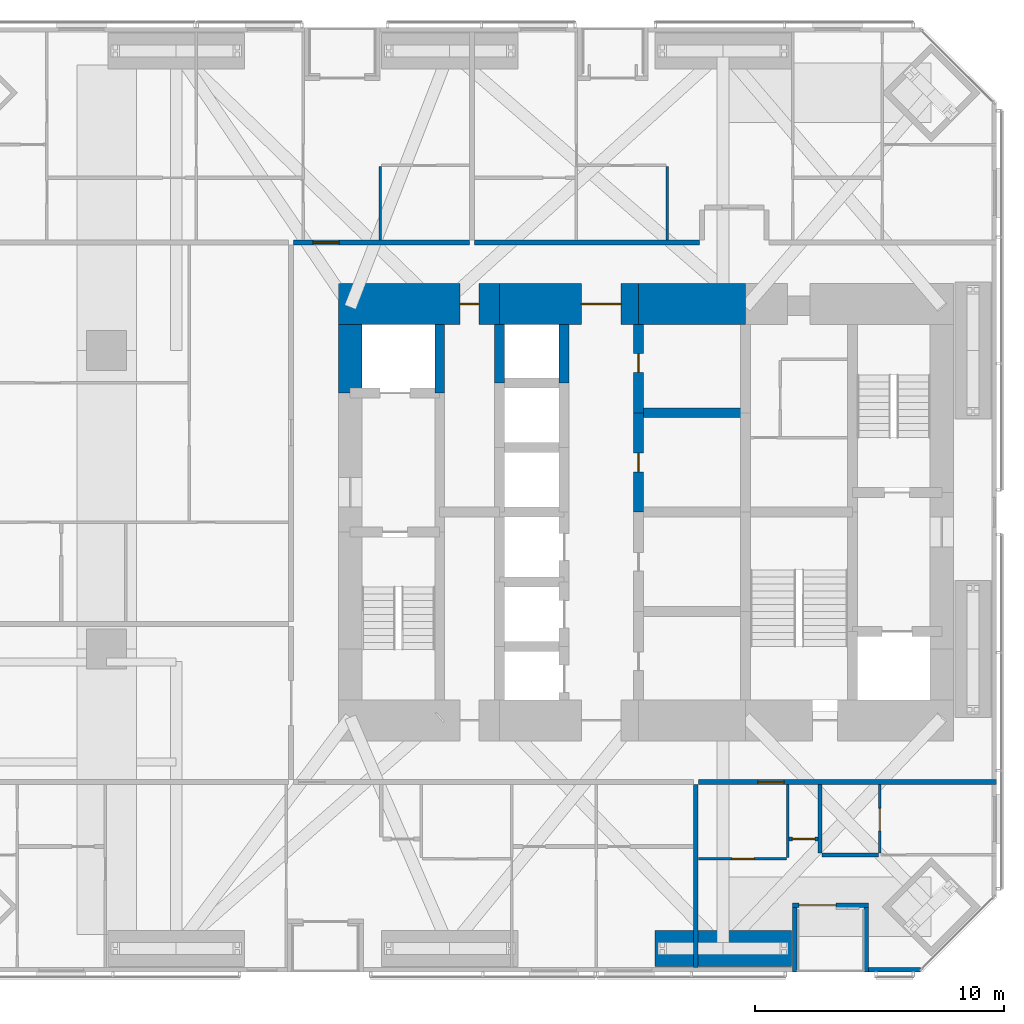
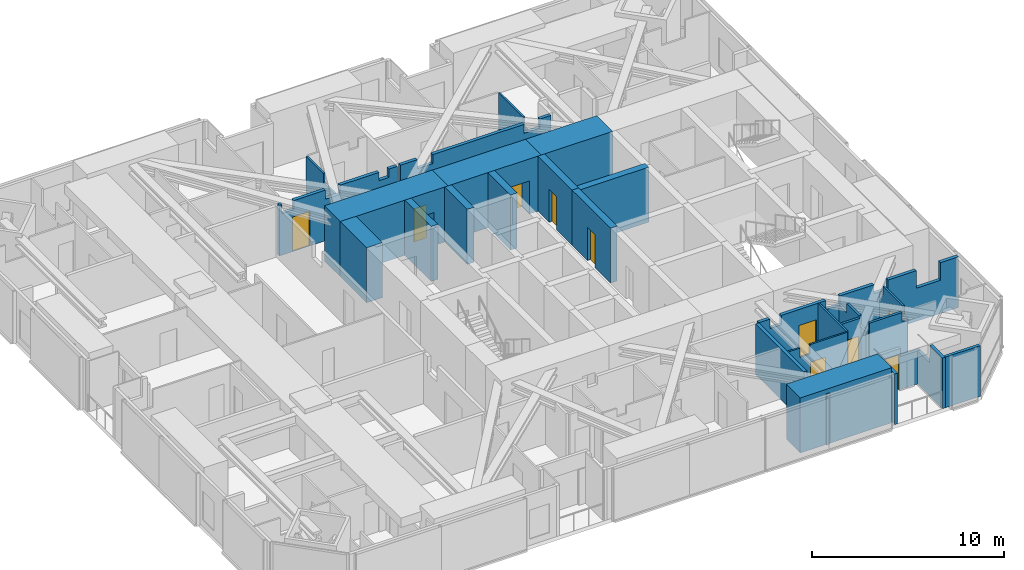
# One storey, part 18 of 22: 27 walls, 10 doors, 10 openings.
"""IFC4 building model written with IfcOpenShell, lengths in metres."""

from ifc_helpers import new_model, si_unit, direction, frame, frame_2d, origin, place, context, subcontext, project, spatial, polyline, rectangle, outline, extrude, material, layer, layer_set, constituent, constituent_set, type_object, element, fill, save


model = new_model("IFC4")

# Units and contexts
model_context = context("Model", 3, precision=1e-05, world=origin(), true_north=direction((0.0, 1.0)))
body_context = subcontext(model_context, "Body", "Model", "MODEL_VIEW")
ifc_project = project(units=[si_unit("LENGTHUNIT", "METRE"), si_unit("AREAUNIT", "SQUARE_METRE"), si_unit("VOLUMEUNIT", "CUBIC_METRE"), si_unit("PLANEANGLEUNIT", "RADIAN"), si_unit("MASSUNIT", "GRAM", prefix="KILO")], contexts=[model_context])

# Site, building, storey
site_placement = place(None, origin())
site = spatial("IfcSite", under=ifc_project, at=site_placement, CompositionType="ELEMENT")
building_placement = place(site_placement, origin())
building = spatial("IfcBuilding", under=site, at=building_placement, Name="Jalousie Tower", CompositionType="ELEMENT")
storey_placement = place(building_placement, frame((0.0, 0.0, 71.25)))
storey = spatial("IfcBuildingStorey", under=building, at=storey_placement, Name="L19", CompositionType="ELEMENT", Elevation=71.25)

# Walls
ifc_material_1 = material(Name="Concrete block ASTM C90", Category="concrete")
ifc_constituent_1 = constituent(ifc_material_1, Name="Body")
ifc_material_2 = material(Name="Render")
ifc_constituent_2 = constituent(ifc_material_2, Name="Finish")
ifc_constituent_set_1 = constituent_set(constituents=[ifc_constituent_1, ifc_constituent_2])
wall_type_1 = type_object("IfcWallType", Name="BATHROOM WALL 150", PredefinedType="PLUMBINGWALL", material=ifc_constituent_set_1)
wall_1_placement = place(storey_placement, frame((38.97509765625, 4.711181640625, 0.0), z_axis=(0.0, 0.0, 1.0), x_axis=(1.0, 0.0, 0.0)))
element("IfcWall", 1, at=wall_1_placement, inside=storey, type_object=wall_type_1, Name="Bathroom Wall 150 L19", PredefinedType="PLUMBINGWALL", context=body_context, shape_type="SweptSolid", body=[
    extrude(outline(polyline([(0.0, 0.0), (2.27490234375, 0.0), (2.27490234375, 2.640869140625), (1.950439453125, 2.640869140625), (1.950439453125, 3.219970703125), (0.0, 3.219970703125), (0.0, 0.0)])), frame((0.0, 0.074951171875, 0.0), z_axis=(0.0, -1.0, 0.0), x_axis=(1.0, 0.0, 0.0)), (0.0, 0.0, 1.0), 0.14990234375),
])
wall_2_placement = place(storey_placement, frame((38.89990234375, 4.786376953125, 0.0), z_axis=(0.0, 0.0, 1.0), x_axis=(0.0, 1.0, 0.0)))
element("IfcWall", 2, at=wall_2_placement, inside=storey, type_object=wall_type_1, Name="Bathroom Wall 150 L19", PredefinedType="PLUMBINGWALL", context=body_context, shape_type="SweptSolid", body=[
    extrude(outline(polyline([(0.0, 0.0), (2.763671875, 0.0), (2.763671875, 2.640869140625), (1.989501953125, 2.640869140625), (1.989501953125, 3.219970703125), (0.708251953125, 3.219970703125), (0.708251953125, 2.640869140625), (0.0, 2.640869140625), (0.0, 0.0)])), frame((0.0, 0.074951171875, 0.0), z_axis=(0.0, -1.0, 0.0), x_axis=(1.0, 0.0, 0.0)), (0.0, 0.0, 1.0), 0.14990234375),
])

# Wall, opening, door
wall_3_placement = place(storey_placement, frame((37.64990234375, 5.35009765625, 0.0), z_axis=(0.0, 0.0, 1.0), x_axis=(1.0, 0.0, 0.0)))
wall_3 = element("IfcWall", 3, at=wall_3_placement, inside=storey, type_object=wall_type_1, Name="Bathroom Wall 150 L19", PredefinedType="PLUMBINGWALL", context=body_context, shape_type="SweptSolid", body=[
    extrude(outline(polyline([(0.0, 0.0), (1.175048828125, 0.0), (1.175048828125, 2.640869140625), (1.1171875, 2.640869140625), (1.1171875, 3.219970703125), (0.0, 3.219970703125), (0.0, 0.0)])), frame((0.0, 0.074951171875, 0.0), z_axis=(0.0, -1.0, 0.0), x_axis=(1.0, 0.0, 0.0)), (0.0, 0.0, 1.0), 0.14990234375),
])
opening_1_placement = place(wall_3_placement, frame((0.137451171875, 0.0, 0.0)))
opening_1 = element("IfcOpeningElement", 4, at=opening_1_placement, cuts=wall_3, Name="Opening D7", PredefinedType="OPENING", context=body_context, shape_type="SweptSolid", body=[
    extrude(rectangle(XDim=0.89990234375, YDim=2.10009765625, at=frame_2d((0.449951171875, 1.050048828125))), frame((0.0, 0.0849609375, 0.0), z_axis=(0.0, -1.0, 0.0), x_axis=(1.0, 0.0, 0.0)), (0.0, 0.0, 1.0), 0.169921875),
])
ifc_material_3 = material(Name="Timber door", Category="wood")
door_type_1 = type_object("IfcDoorType", Name="INTERNAL DOOR 900", OperationType="SINGLE_SWING_LEFT", PredefinedType="DOOR", material=ifc_material_3)
door_1_placement = place(opening_1_placement, origin())
door_1 = element("IfcDoor", 5, at=door_1_placement, inside=storey, type_object=door_type_1, Name="Apartment 1902 guest WC door", OperationType="SINGLE_SWING_LEFT", OverallHeight=2.10009765625, OverallWidth=0.89990234375, PredefinedType="DOOR", context=body_context, shape_type="SweptSolid", body=[
    extrude(rectangle(XDim=0.89990234375, YDim=2.10009765625, at=frame_2d((0.449951171875, 1.050048828125))), frame((0.0, 0.02490234375, 0.0), z_axis=(0.0, -1.0, 0.0), x_axis=(1.0, 0.0, 0.0)), (0.0, 0.0, 1.0), 0.050048828125),
])
fill(opening_1, door_1)

# Wall
ifc_material_4 = material(Name="Concrete f'c 120 MPa", Category="concrete")
ifc_layer_1 = layer(ifc_material_4, 1.64990234375)
ifc_layer_set_1 = layer_set([ifc_layer_1], Name="Concrete f'c 120 MPa")
wall_type_2 = type_object("IfcWallType", Name="CORE WALL 1650", PredefinedType="SHEAR", material=ifc_layer_set_1)
wall_4_placement = place(storey_placement, frame((35.89990234375, 26.875, 0.0), z_axis=(0.0, 0.0, 1.0), x_axis=(-1.0, 0.0, 0.0)))
element("IfcWall", 6, at=wall_4_placement, inside=storey, type_object=wall_type_2, Name="Core wall NB L19", PredefinedType="SHEAR", context=body_context, shape_type="SweptSolid", body=[
    extrude(rectangle(XDim=4.2998046875, YDim=1.64990234375, at=frame_2d((2.14990234375, 0.0))), origin(), (0.0, 0.0, 1.0), 3.5),
])

# Wall, opening, door
wall_5_placement = place(storey_placement, frame((31.60009765625, 26.875, 0.0), z_axis=(0.0, 0.0, 1.0), x_axis=(-1.0, 0.0, 0.0)))
wall_5 = element("IfcWall", 7, at=wall_5_placement, inside=storey, type_object=wall_type_2, Name="Core wall NC L19", PredefinedType="SHEAR", context=body_context, shape_type="SweptSolid", body=[
    extrude(rectangle(XDim=5.60009765625, YDim=1.64990234375, at=frame_2d((2.800048828125, 0.0))), origin(), (0.0, 0.0, 1.0), 3.5),
])
opening_2_placement = place(wall_5_placement, frame((0.699951171875, 0.0, 0.0)))
opening_2 = element("IfcOpeningElement", 8, at=opening_2_placement, cuts=wall_5, Name="Opening D15", PredefinedType="OPENING", context=body_context, shape_type="SweptSolid", body=[
    extrude(rectangle(XDim=1.60009765625, YDim=2.10009765625, at=frame_2d((0.800048828125, 1.050048828125))), frame((0.0, 0.8349609375, 0.0), z_axis=(0.0, -1.0, 0.0), x_axis=(1.0, 0.0, 0.0)), (0.0, 0.0, 1.0), 1.669921875),
])
ifc_material_5 = material(Name="Steel fire door", Category="steel")
door_type_2 = type_object("IfcDoorType", Name="LIFT LOBBY DOOR 1600", OperationType="DOUBLE_DOOR_SINGLE_SWING", PredefinedType="DOOR", material=ifc_material_5)
door_2_placement = place(opening_2_placement, origin())
door_2 = element("IfcDoor", 9, at=door_2_placement, inside=storey, type_object=door_type_2, Name="Lift lobby north door", OperationType="DOUBLE_DOOR_SINGLE_SWING", OverallHeight=2.10009765625, OverallWidth=1.60009765625, PredefinedType="DOOR", context=body_context, shape_type="SweptSolid", body=[
    extrude(rectangle(XDim=1.60009765625, YDim=2.10009765625, at=frame_2d((0.800048828125, 1.050048828125))), frame((0.0, 0.02490234375, 0.0), z_axis=(0.0, -1.0, 0.0), x_axis=(1.0, 0.0, 0.0)), (0.0, 0.0, 1.0), 0.050048828125),
])
fill(opening_2, door_2)

wall_6_placement = place(storey_placement, frame((26.0, 26.875, 0.0), z_axis=(0.0, 0.0, 1.0), x_axis=(-1.0, 0.0, 0.0)))
wall_6 = element("IfcWall", 10, at=wall_6_placement, inside=storey, type_object=wall_type_2, Name="Core wall ND L19", PredefinedType="SHEAR", context=body_context, shape_type="SweptSolid", body=[
    extrude(rectangle(XDim=6.47509765625, YDim=1.64990234375, at=frame_2d((3.237548828125, 0.0))), origin(), (0.0, 0.0, 1.0), 3.5),
])
opening_3_placement = place(wall_6_placement, frame((0.824951171875, 0.0, 0.0)))
opening_3 = element("IfcOpeningElement", 11, at=opening_3_placement, cuts=wall_6, Name="Opening D16", PredefinedType="OPENING", context=body_context, shape_type="SweptSolid", body=[
    extrude(rectangle(XDim=0.75, YDim=2.10009765625, at=frame_2d((0.375, 1.050048828125))), frame((0.0, 0.8349609375, 0.0), z_axis=(0.0, -1.0, 0.0), x_axis=(1.0, 0.0, 0.0)), (0.0, 0.0, 1.0), 1.669921875),
])
ifc_material_6 = material(Name="Steel fire door", Category="steel")
door_type_3 = type_object("IfcDoorType", Name="RISER DOOR 750", OperationType="SINGLE_SWING_LEFT", PredefinedType="DOOR", material=ifc_material_6)
door_3_placement = place(opening_3_placement, origin())
door_3 = element("IfcDoor", 12, at=door_3_placement, inside=storey, type_object=door_type_3, Name="North riser door", OperationType="SINGLE_SWING_RIGHT", OverallHeight=2.10009765625, OverallWidth=0.75, PredefinedType="DOOR", context=body_context, shape_type="SweptSolid", body=[
    extrude(rectangle(XDim=0.75, YDim=2.10009765625, at=frame_2d((0.375, 1.050048828125))), frame((0.0, 0.02490234375, 0.0), z_axis=(0.0, -1.0, 0.0), x_axis=(1.0, 0.0, 0.0)), (0.0, 0.0, 1.0), 0.050048828125),
])
fill(opening_3, door_3)

# Walls
ifc_material_7 = material(Name="Concrete f'c 120 MPa", Category="concrete")
ifc_layer_2 = layer(ifc_material_7, 0.39990234375)
ifc_layer_set_2 = layer_set([ifc_layer_2], Name="Concrete f'c 120 MPa")
wall_type_3 = type_object("IfcWallType", Name="CORE WALL 400", PredefinedType="SHEAR", material=ifc_layer_set_2)
wall_7_placement = place(storey_placement, frame((23.60009765625, 23.300048828125, 0.0), z_axis=(0.0, 0.0, 1.0), x_axis=(0.0, 1.0, 0.0)))
element("IfcWall", 13, at=wall_7_placement, inside=storey, type_object=wall_type_3, Name="Core wall X23.6C L19", PredefinedType="SHEAR", context=body_context, shape_type="SweptSolid", body=[
    extrude(rectangle(XDim=2.75, YDim=0.39990234375, at=frame_2d((1.375, 0.0))), origin(), (0.0, 0.0, 1.0), 3.5),
])
for number, where, z_axis, x_axis, name in (
    (14, (26.0, 23.699951171875, 0.0), (0.0, 0.0, 1.0), (0.0, 1.0, 0.0), "Core wall X26F L19"),
    (15, (28.60009765625, 23.699951171875, 0.0), (0.0, 0.0, 1.0), (0.0, 1.0, 0.0), "Core wall X28.6F L19"),
):
    element("IfcWall", number, at=place(storey_placement, frame(where, z_axis=z_axis, x_axis=x_axis)), inside=storey, type_object=wall_type_3, Name=name, PredefinedType="SHEAR", context=body_context, shape_type="SweptSolid", body=[
        extrude(rectangle(XDim=2.35009765625, YDim=0.39990234375, at=frame_2d((1.175048828125, 0.0))), origin(), (0.0, 0.0, 1.0), 3.5),
    ])

# Wall, opening, door
wall_8_placement = place(storey_placement, frame((31.60009765625, 18.5, 0.0), z_axis=(0.0, 0.0, 1.0), x_axis=(0.0, 1.0, 0.0)))
wall_8 = element("IfcWall", 16, at=wall_8_placement, inside=storey, type_object=wall_type_3, Name="Core wall X31.6C L19", PredefinedType="SHEAR", context=body_context, shape_type="SweptSolid", body=[
    extrude(rectangle(XDim=4.0, YDim=0.39990234375, at=frame_2d((2.0, 0.0))), origin(), (0.0, 0.0, 1.0), 3.5),
])
opening_4_placement = place(wall_8_placement, frame((1.625, 0.0, 0.0)))
opening_4 = element("IfcOpeningElement", 17, at=opening_4_placement, cuts=wall_8, Name="Opening D16", PredefinedType="OPENING", context=body_context, shape_type="SweptSolid", body=[
    extrude(rectangle(XDim=0.75, YDim=2.10009765625, at=frame_2d((0.375, 1.050048828125))), frame((0.0, 0.2099609375, 0.0), z_axis=(0.0, -1.0, 0.0), x_axis=(1.0, 0.0, 0.0)), (0.0, 0.0, 1.0), 0.419921875),
])
door_4_placement = place(opening_4_placement, frame((0.75, 0.0, 0.0), z_axis=(0.0, 0.0, 1.0), x_axis=(-1.0, 0.0, 0.0)))
door_4 = element("IfcDoor", 18, at=door_4_placement, inside=storey, type_object=door_type_3, Name="Telecom Room door", OperationType="SINGLE_SWING_LEFT", OverallHeight=2.10009765625, OverallWidth=0.75, PredefinedType="DOOR", context=body_context, shape_type="SweptSolid", body=[
    extrude(rectangle(XDim=0.75, YDim=2.10009765625, at=frame_2d((0.375, 1.050048828125))), frame((0.0, 0.02490234375, 0.0), z_axis=(0.0, -1.0, 0.0), x_axis=(1.0, 0.0, 0.0)), (0.0, 0.0, 1.0), 0.050048828125),
])
fill(opening_4, door_4)

wall_9_placement = place(storey_placement, frame((31.60009765625, 22.5, 0.0), z_axis=(0.0, 0.0, 1.0), x_axis=(0.0, 1.0, 0.0)))
wall_9 = element("IfcWall", 19, at=wall_9_placement, inside=storey, type_object=wall_type_3, Name="Core wall X31.6D L19", PredefinedType="SHEAR", context=body_context, shape_type="SweptSolid", body=[
    extrude(rectangle(XDim=3.550048828125, YDim=0.39990234375, at=frame_2d((1.77490234375, 0.0))), origin(), (0.0, 0.0, 1.0), 3.5),
])
opening_5_placement = place(wall_9_placement, frame((1.625, 0.0, 0.0)))
opening_5 = element("IfcOpeningElement", 20, at=opening_5_placement, cuts=wall_9, Name="Opening D16", PredefinedType="OPENING", context=body_context, shape_type="SweptSolid", body=[
    extrude(rectangle(XDim=0.75, YDim=2.10009765625, at=frame_2d((0.375, 1.050048828125))), frame((0.0, 0.2099609375, 0.0), z_axis=(0.0, -1.0, 0.0), x_axis=(1.0, 0.0, 0.0)), (0.0, 0.0, 1.0), 0.419921875),
])
door_5_placement = place(opening_5_placement, frame((0.75, 0.0, 0.0), z_axis=(0.0, 0.0, 1.0), x_axis=(-1.0, 0.0, 0.0)))
door_5 = element("IfcDoor", 21, at=door_5_placement, inside=storey, type_object=door_type_3, Name="Water Services Room door", OperationType="SINGLE_SWING_LEFT", OverallHeight=2.10009765625, OverallWidth=0.75, PredefinedType="DOOR", context=body_context, shape_type="SweptSolid", body=[
    extrude(rectangle(XDim=0.75, YDim=2.10009765625, at=frame_2d((0.375, 1.050048828125))), frame((0.0, 0.02490234375, 0.0), z_axis=(0.0, -1.0, 0.0), x_axis=(1.0, 0.0, 0.0)), (0.0, 0.0, 1.0), 0.050048828125),
])
fill(opening_5, door_5)

# Walls
wall_10_placement = place(storey_placement, frame((31.60009765625, 22.5, 0.0), z_axis=(0.0, 0.0, 1.0), x_axis=(1.0, 0.0, 0.0)))
element("IfcWall", 22, at=wall_10_placement, inside=storey, type_object=wall_type_3, Name="Core wall Y31.6-22.5 L19", PredefinedType="SHEAR", context=body_context, shape_type="SweptSolid", body=[
    extrude(rectangle(XDim=4.2998046875, YDim=0.39990234375, at=frame_2d((2.14990234375, 0.0))), origin(), (0.0, 0.0, 1.0), 3.5),
])
ifc_material_8 = material(Name="Concrete f'c 120 MPa", Category="concrete")
ifc_layer_3 = layer(ifc_material_8, 0.949951171875)
ifc_layer_set_3 = layer_set([ifc_layer_3], Name="Concrete f'c 120 MPa")
wall_type_4 = type_object("IfcWallType", Name="CORE WALL 950", PredefinedType="SHEAR", material=ifc_layer_set_3)
wall_11_placement = place(storey_placement, frame((20.0, 26.050048828125, 0.0), z_axis=(0.0, 0.0, 1.0), x_axis=(0.0, -1.0, 0.0)))
element("IfcWall", 23, at=wall_11_placement, inside=storey, type_object=wall_type_4, Name="Core wall WA L19", PredefinedType="SHEAR", context=body_context, shape_type="SweptSolid", body=[
    extrude(rectangle(XDim=2.75, YDim=0.949951171875, at=frame_2d((1.375, 0.0))), origin(), (0.0, 0.0, 1.0), 3.5),
])

# Wall, opening, door
ifc_material_9 = material(Name="Concrete block ASTM C90", Category="concrete")
ifc_constituent_3 = constituent(ifc_material_9, Name="Body")
ifc_material_10 = material(Name="Render")
ifc_constituent_4 = constituent(ifc_material_10, Name="Finish")
ifc_constituent_set_2 = constituent_set(constituents=[ifc_constituent_3, ifc_constituent_4])
wall_type_5 = type_object("IfcWallType", Name="CORRIDOR WALL 200", PredefinedType="PARTITIONING", material=ifc_constituent_set_2)
wall_12_placement = place(storey_placement, frame((34.0, 7.64990234375, 0.0), z_axis=(0.0, 0.0, 1.0), x_axis=(1.0, 0.0, 0.0)))
wall_12 = element("IfcWall", 24, at=wall_12_placement, inside=storey, type_object=wall_type_5, Name="Corridor Wall 200 L19", PredefinedType="PARTITIONING", context=body_context, shape_type="SweptSolid", body=[
    extrude(outline(polyline([(0.0, 0.0), (12.0, 0.0), (12.0, 3.219970703125), (10.90771484375, 3.219970703125), (10.90771484375, 2.10009765625), (9.45703125, 2.10009765625), (9.45703125, 3.219970703125), (7.759521484375, 3.219970703125), (7.759521484375, 2.640869140625), (6.919921875, 2.640869140625), (6.919921875, 3.219970703125), (4.877685546875, 3.219970703125), (4.877685546875, 2.640869140625), (4.02001953125, 2.640869140625), (4.02001953125, 3.219970703125), (1.348876953125, 3.219970703125), (1.348876953125, 2.62060546875), (0.651123046875, 2.62060546875), (0.651123046875, 3.219970703125), (0.0, 3.219970703125), (0.0, 0.0)])), frame((0.0, 0.10009765625, 0.0), z_axis=(0.0, -1.0, 0.0), x_axis=(1.0, 0.0, 0.0)), (0.0, 0.0, 1.0), 0.199951171875),
])
opening_6_placement = place(wall_12_placement, frame((2.39990234375, 0.0, 0.0)))
opening_6 = element("IfcOpeningElement", 25, at=opening_6_placement, cuts=wall_12, Name="Opening D1", PredefinedType="OPENING", context=body_context, shape_type="SweptSolid", body=[
    extrude(rectangle(XDim=1.050048828125, YDim=2.199951171875, at=frame_2d((0.52490234375, 1.10009765625))), frame((0.0, 0.10986328125, 0.0), z_axis=(0.0, -1.0, 0.0), x_axis=(1.0, 0.0, 0.0)), (0.0, 0.0, 1.0), 0.219970703125),
])
ifc_material_11 = material(Name="Timber fire door", Category="wood")
door_type_4 = type_object("IfcDoorType", Name="APARTMENT ENTRANCE DOOR 1050", OperationType="SINGLE_SWING_LEFT", PredefinedType="DOOR", material=ifc_material_11)
door_6_placement = place(opening_6_placement, frame((1.050048828125, 0.0, 0.0), z_axis=(0.0, 0.0, 1.0), x_axis=(-1.0, 0.0, 0.0)))
door_6 = element("IfcDoor", 26, at=door_6_placement, inside=storey, type_object=door_type_4, Name="Apartment 1902 entrance", OperationType="SINGLE_SWING_LEFT", OverallHeight=2.199951171875, OverallWidth=1.050048828125, PredefinedType="DOOR", context=body_context, shape_type="SweptSolid", body=[
    extrude(rectangle(XDim=1.050048828125, YDim=2.199951171875, at=frame_2d((0.52490234375, 1.10009765625))), frame((0.0, 0.02490234375, 0.0), z_axis=(0.0, -1.0, 0.0), x_axis=(1.0, 0.0, 0.0)), (0.0, 0.0, 1.0), 0.050048828125),
])
fill(opening_6, door_6)

wall_13_placement = place(storey_placement, frame((17.72509765625, 29.35009765625, 0.0), z_axis=(0.0, 0.0, 1.0), x_axis=(1.0, 0.0, 0.0)))
wall_13 = element("IfcWall", 27, at=wall_13_placement, inside=storey, type_object=wall_type_5, Name="Corridor Wall 200 L19", PredefinedType="PARTITIONING", context=body_context, shape_type="SweptSolid", body=[
    extrude(outline(polyline([(0.0, 0.0), (7.074951171875, 0.0), (7.074951171875, 3.219970703125), (6.564453125, 3.219970703125), (6.564453125, 2.694091796875), (5.985595703125, 2.694091796875), (5.985595703125, 3.219970703125), (3.64111328125, 3.219970703125), (3.64111328125, 2.640869140625), (2.75732421875, 2.640869140625), (2.75732421875, 3.219970703125), (0.861572265625, 3.219970703125), (0.861572265625, 2.640869140625), (0.154541015625, 2.640869140625), (0.154541015625, 3.219970703125), (0.0, 3.219970703125), (0.0, 0.0)])), frame((0.0, 0.10009765625, 0.0), z_axis=(0.0, -1.0, 0.0), x_axis=(1.0, 0.0, 0.0)), (0.0, 0.0, 1.0), 0.199951171875),
])
opening_7_placement = place(wall_13_placement, frame((0.77490234375, 0.0, 0.0)))
opening_7 = element("IfcOpeningElement", 28, at=opening_7_placement, cuts=wall_13, Name="Opening D1", PredefinedType="OPENING", context=body_context, shape_type="SweptSolid", body=[
    extrude(rectangle(XDim=1.050048828125, YDim=2.199951171875, at=frame_2d((0.52490234375, 1.10009765625))), frame((0.0, 0.10986328125, 0.0), z_axis=(0.0, -1.0, 0.0), x_axis=(1.0, 0.0, 0.0)), (0.0, 0.0, 1.0), 0.219970703125),
])
door_7_placement = place(opening_7_placement, origin())
door_7 = element("IfcDoor", 29, at=door_7_placement, inside=storey, type_object=door_type_4, Name="Apartment 1903 entrance", OperationType="SINGLE_SWING_LEFT", OverallHeight=2.199951171875, OverallWidth=1.050048828125, PredefinedType="DOOR", context=body_context, shape_type="SweptSolid", body=[
    extrude(rectangle(XDim=1.050048828125, YDim=2.199951171875, at=frame_2d((0.52490234375, 1.10009765625))), frame((0.0, 0.02490234375, 0.0), z_axis=(0.0, -1.0, 0.0), x_axis=(1.0, 0.0, 0.0)), (0.0, 0.0, 1.0), 0.050048828125),
])
fill(opening_7, door_7)

# Walls
wall_14_placement = place(storey_placement, frame((25.0, 29.35009765625, 0.0), z_axis=(0.0, 0.0, 1.0), x_axis=(1.0, 0.0, 0.0)))
element("IfcWall", 30, at=wall_14_placement, inside=storey, type_object=wall_type_5, Name="Corridor Wall 200 L19", PredefinedType="PARTITIONING", context=body_context, shape_type="SweptSolid", body=[
    extrude(outline(polyline([(0.0, 0.0), (9.050048828125, 0.0), (9.050048828125, 3.219970703125), (8.37255859375, 3.219970703125), (8.37255859375, 2.640869140625), (7.419677734375, 2.640869140625), (7.419677734375, 3.219970703125), (1.940673828125, 3.219970703125), (1.940673828125, 2.640869140625), (1.0146484375, 2.640869140625), (1.0146484375, 3.219970703125), (0.0, 3.219970703125), (0.0, 0.0)])), frame((0.0, 0.10009765625, 0.0), z_axis=(0.0, -1.0, 0.0), x_axis=(1.0, 0.0, 0.0)), (0.0, 0.0, 1.0), 0.199951171875),
])
ifc_material_12 = material(Name="Concrete f'c 40 MPa", Category="concrete")
ifc_constituent_5 = constituent(ifc_material_12, Name="Body")
ifc_material_13 = material(Name="Render, pastel coral")
ifc_constituent_6 = constituent(ifc_material_13, Name="Finish")
ifc_constituent_set_3 = constituent_set(constituents=[ifc_constituent_5, ifc_constituent_6])
wall_type_6 = type_object("IfcWallType", Name="EXTERNAL WALL 175 CORAL RENDER", PredefinedType="SOLIDWALL", material=ifc_constituent_set_3)
wall_15_placement = place(storey_placement, frame((40.85009765625, 0.08740234375, 0.0), z_axis=(0.0, 0.0, 1.0), x_axis=(1.0, 0.0, 0.0)))
element("IfcWall", 31, at=wall_15_placement, inside=storey, type_object=wall_type_6, Name="External Wall 175 Coral Render L19", PredefinedType="SOLIDWALL", context=body_context, shape_type="SweptSolid", body=[
    extrude(rectangle(XDim=2.0986328125, YDim=0.175048828125, at=frame_2d((1.04931640625, 0.0))), origin(), (0.0, 0.0, 1.0), 3.219970703125),
])

# Wall, opening, door
wall_16_placement = place(storey_placement, frame((37.800048828125, 2.6875, 0.0), z_axis=(0.0, 0.0, 1.0), x_axis=(1.0, 0.0, 0.0)))
wall_16 = element("IfcWall", 32, at=wall_16_placement, inside=storey, type_object=wall_type_6, Name="External Wall 175 Coral Render L19", PredefinedType="SOLIDWALL", context=body_context, shape_type="SweptSolid", body=[
    extrude(outline(polyline([(0.0, 0.0), (3.050048828125, 0.0), (3.050048828125, 2.10009765625), (1.858642578125, 2.10009765625), (1.858642578125, 2.6201171875), (0.0, 2.6201171875), (0.0, 0.0)])), frame((0.0, 0.08740234375, 0.0), z_axis=(0.0, -1.0, 0.0), x_axis=(1.0, 0.0, 0.0)), (0.0, 0.0, 1.0), 0.175048828125),
])
opening_8_placement = place(wall_16_placement, frame((0.25, 0.0, 0.0)))
opening_8 = element("IfcOpeningElement", 33, at=opening_8_placement, cuts=wall_16, Name="Opening D-BAL15", PredefinedType="OPENING", context=body_context, shape_type="SweptSolid", body=[
    extrude(rectangle(XDim=1.5, YDim=2.25, at=frame_2d((0.75, 1.125))), frame((0.0, 0.097412109375, 0.0), z_axis=(0.0, -1.0, 0.0), x_axis=(1.0, 0.0, 0.0)), (0.0, 0.0, 1.0), 0.195068359375),
])
ifc_material_14 = material(Name="Aluminium frame, impact-rated glazing", Category="aluminium")
door_type_5 = type_object("IfcDoorType", Name="BALCONY DOOR 1500x2250", OperationType="SLIDING_TO_LEFT", PredefinedType="DOOR", material=ifc_material_14)
door_8_placement = place(opening_8_placement, origin())
door_8 = element("IfcDoor", 34, at=door_8_placement, inside=storey, type_object=door_type_5, Name="Apartment 1902 living and dining room loggia door", OperationType="SLIDING_TO_LEFT", OverallHeight=2.25, OverallWidth=1.5, PredefinedType="DOOR", context=body_context, shape_type="SweptSolid", body=[
    extrude(rectangle(XDim=1.5, YDim=2.25, at=frame_2d((0.75, 1.125))), frame((0.0, 0.02490234375, 0.0), z_axis=(0.0, -1.0, 0.0), x_axis=(1.0, 0.0, 0.0)), (0.0, 0.0, 1.0), 0.050048828125),
])
fill(opening_8, door_8)

# Walls
wall_17_placement = place(storey_placement, frame((37.887451171875, 0.0, 0.0), z_axis=(0.0, 0.0, 1.0), x_axis=(0.0, 1.0, 0.0)))
element("IfcWall", 35, at=wall_17_placement, inside=storey, type_object=wall_type_6, Name="External Wall 175 Coral Render L19", PredefinedType="SOLIDWALL", context=body_context, shape_type="SweptSolid", body=[
    extrude(outline(polyline([(0.0, 0.0), (2.60009765625, 0.0), (2.60009765625, 2.6201171875), (2.26171875, 2.6201171875), (2.26171875, 2.10009765625), (0.798583984375, 2.10009765625), (0.798583984375, 3.219970703125), (0.0, 3.219970703125), (0.0, 0.0)])), frame((0.0, 0.08740234375, 0.0), z_axis=(0.0, -1.0, 0.0), x_axis=(1.0, 0.0, 0.0)), (0.0, 0.0, 1.0), 0.175048828125),
])
wall_18_placement = place(storey_placement, frame((40.762451171875, 0.0, 0.0), z_axis=(0.0, 0.0, 1.0), x_axis=(0.0, 1.0, 0.0)))
element("IfcWall", 36, at=wall_18_placement, inside=storey, type_object=wall_type_6, Name="External Wall 175 Coral Render L19", PredefinedType="SOLIDWALL", context=body_context, shape_type="SweptSolid", body=[
    extrude(outline(polyline([(0.0, 0.0), (2.60009765625, 0.0), (2.60009765625, 2.10009765625), (1.376220703125, 2.10009765625), (1.376220703125, 2.6201171875), (1.333984375, 2.6201171875), (1.333984375, 3.219970703125), (0.0, 3.219970703125), (0.0, 0.0)])), frame((0.0, 0.08740234375, 0.0), z_axis=(0.0, -1.0, 0.0), x_axis=(1.0, 0.0, 0.0)), (0.0, 0.0, 1.0), 0.175048828125),
])

# Wall, opening, door
ifc_material_15 = material(Name="Gypsum board", Category="gypsum")
ifc_constituent_7 = constituent(ifc_material_15, Name="Body")
ifc_material_16 = material(Name="Light-gauge steel studs ASTM A653 SS Grade 33", Category="steel")
ifc_constituent_8 = constituent(ifc_material_16, Name="Framing")
ifc_constituent_set_4 = constituent_set(constituents=[ifc_constituent_7, ifc_constituent_8])
wall_type_7 = type_object("IfcWallType", Name="PARTITION 100", PredefinedType="PARTITIONING", material=ifc_constituent_set_4)
wall_19_placement = place(storey_placement, frame((41.300048828125, 4.786376953125, 0.0), z_axis=(0.0, 0.0, 1.0), x_axis=(0.0, 1.0, 0.0)))
wall_19 = element("IfcWall", 37, at=wall_19_placement, inside=storey, type_object=wall_type_7, Name="Partition 100 L19", PredefinedType="PARTITIONING", context=body_context, shape_type="SweptSolid", body=[
    extrude(outline(polyline([(0.0, 0.0), (2.763671875, 0.0), (2.763671875, 2.640869140625), (2.42529296875, 2.640869140625), (2.42529296875, 3.219970703125), (0.34375, 3.219970703125), (0.34375, 2.640869140625), (0.0, 2.640869140625), (0.0, 0.0)])), frame((0.0, 0.050048828125, 0.0), z_axis=(0.0, -1.0, 0.0), x_axis=(1.0, 0.0, 0.0)), (0.0, 0.0, 1.0), 0.10009765625),
])
opening_9_placement = place(wall_19_placement, frame((0.894287109375, 0.0, 0.0)))
opening_9 = element("IfcOpeningElement", 38, at=opening_9_placement, cuts=wall_19, Name="Opening D3", PredefinedType="OPENING", context=body_context, shape_type="SweptSolid", body=[
    extrude(rectangle(XDim=0.89990234375, YDim=2.10009765625, at=frame_2d((0.449951171875, 1.050048828125))), frame((0.0, 0.06005859375, 0.0), z_axis=(0.0, -1.0, 0.0), x_axis=(1.0, 0.0, 0.0)), (0.0, 0.0, 1.0), 0.1201171875),
])
ifc_material_17 = material(Name="Timber door", Category="wood")
door_type_6 = type_object("IfcDoorType", Name="BATHROOM DOOR 900", OperationType="SINGLE_SWING_LEFT", PredefinedType="DOOR", material=ifc_material_17)
door_9_placement = place(opening_9_placement, origin())
door_9 = element("IfcDoor", 39, at=door_9_placement, inside=storey, type_object=door_type_6, Name="Apartment 1902 bedroom 1 bathroom door", OperationType="SINGLE_SWING_LEFT", OverallHeight=2.10009765625, OverallWidth=0.89990234375, PredefinedType="DOOR", context=body_context, shape_type="SweptSolid", body=[
    extrude(rectangle(XDim=0.89990234375, YDim=2.10009765625, at=frame_2d((0.449951171875, 1.050048828125))), frame((0.0, 0.02490234375, 0.0), z_axis=(0.0, -1.0, 0.0), x_axis=(1.0, 0.0, 0.0)), (0.0, 0.0, 1.0), 0.050048828125),
])
fill(opening_9, door_9)

wall_20_placement = place(storey_placement, frame((34.0, 4.550048828125, 0.0), z_axis=(0.0, 0.0, 1.0), x_axis=(1.0, 0.0, 0.0)))
wall_20 = element("IfcWall", 40, at=wall_20_placement, inside=storey, type_object=wall_type_7, Name="Partition 100 L19", PredefinedType="PARTITIONING", context=body_context, shape_type="SweptSolid", body=[
    extrude(outline(polyline([(0.0, 0.0), (3.550048828125, 0.0), (3.550048828125, 3.219970703125), (1.298828125, 3.219970703125), (1.298828125, 2.62060546875), (0.701171875, 2.62060546875), (0.701171875, 3.219970703125), (0.0, 3.219970703125), (0.0, 0.0)])), frame((0.0, 0.050048828125, 0.0), z_axis=(0.0, -1.0, 0.0), x_axis=(1.0, 0.0, 0.0)), (0.0, 0.0, 1.0), 0.10009765625),
])
opening_10_placement = place(wall_20_placement, frame((1.35009765625, 0.0, 0.0)))
opening_10 = element("IfcOpeningElement", 41, at=opening_10_placement, cuts=wall_20, Name="Opening D7", PredefinedType="OPENING", context=body_context, shape_type="SweptSolid", body=[
    extrude(rectangle(XDim=0.89990234375, YDim=2.10009765625, at=frame_2d((0.449951171875, 1.050048828125))), frame((0.0, 0.06005859375, 0.0), z_axis=(0.0, -1.0, 0.0), x_axis=(1.0, 0.0, 0.0)), (0.0, 0.0, 1.0), 0.1201171875),
])
door_10_placement = place(opening_10_placement, frame((0.89990234375, 0.0, 0.0), z_axis=(0.0, 0.0, 1.0), x_axis=(-1.0, 0.0, 0.0)))
door_10 = element("IfcDoor", 42, at=door_10_placement, inside=storey, type_object=door_type_1, Name="Apartment 1902 kitchen door", OperationType="SINGLE_SWING_RIGHT", OverallHeight=2.10009765625, OverallWidth=0.89990234375, PredefinedType="DOOR", context=body_context, shape_type="SweptSolid", body=[
    extrude(rectangle(XDim=0.89990234375, YDim=2.10009765625, at=frame_2d((0.449951171875, 1.050048828125))), frame((0.0, 0.02490234375, 0.0), z_axis=(0.0, -1.0, 0.0), x_axis=(1.0, 0.0, 0.0)), (0.0, 0.0, 1.0), 0.050048828125),
])
fill(opening_10, door_10)

# Walls
wall_21_placement = place(storey_placement, frame((37.60009765625, 4.60009765625, 0.0), z_axis=(0.0, 0.0, 1.0), x_axis=(0.0, 1.0, 0.0)))
element("IfcWall", 43, at=wall_21_placement, inside=storey, type_object=wall_type_7, Name="Partition 100 L19", PredefinedType="PARTITIONING", context=body_context, shape_type="SweptSolid", body=[
    extrude(rectangle(XDim=2.949951171875, YDim=0.10009765625, at=frame_2d((1.47509765625, 0.0))), origin(), (0.0, 0.0, 1.0), 3.219970703125),
])
wall_22_placement = place(storey_placement, frame((21.199951171875, 32.39990234375, 0.0), z_axis=(0.0, 0.0, 1.0), x_axis=(0.0, -1.0, 0.0)))
element("IfcWall", 44, at=wall_22_placement, inside=storey, type_object=wall_type_7, Name="Partition 100 L19", PredefinedType="PARTITIONING", context=body_context, shape_type="SweptSolid", body=[
    extrude(outline(polyline([(0.0, 0.0), (2.949951171875, 0.0), (2.949951171875, 2.640869140625), (1.77880859375, 2.640869140625), (1.77880859375, 3.219970703125), (0.0, 3.219970703125), (0.0, 0.0)])), frame((0.0, 0.050048828125, 0.0), z_axis=(0.0, -1.0, 0.0), x_axis=(1.0, 0.0, 0.0)), (0.0, 0.0, 1.0), 0.10009765625),
])
wall_23_placement = place(storey_placement, frame((32.75, 32.39990234375, 0.0), z_axis=(0.0, 0.0, 1.0), x_axis=(0.0, -1.0, 0.0)))
element("IfcWall", 45, at=wall_23_placement, inside=storey, type_object=wall_type_7, Name="Partition 100 L19", PredefinedType="PARTITIONING", context=body_context, shape_type="SweptSolid", body=[
    extrude(outline(polyline([(0.0, 0.0), (2.949951171875, 0.0), (2.949951171875, 2.640869140625), (2.56787109375, 2.640869140625), (2.56787109375, 3.219970703125), (0.0, 3.219970703125), (0.0, 0.0)])), frame((0.0, 0.050048828125, 0.0), z_axis=(0.0, -1.0, 0.0), x_axis=(1.0, 0.0, 0.0)), (0.0, 0.0, 1.0), 0.10009765625),
])
ifc_material_18 = material(Name="Concrete block ASTM C90", Category="concrete")
ifc_constituent_9 = constituent(ifc_material_18, Name="Body")
ifc_material_19 = material(Name="Render")
ifc_constituent_10 = constituent(ifc_material_19, Name="Finish")
ifc_constituent_set_5 = constituent_set(constituents=[ifc_constituent_9, ifc_constituent_10])
wall_type_8 = type_object("IfcWallType", Name="PARTY WALL 200", PredefinedType="PARTITIONING", material=ifc_constituent_set_5)
wall_24_placement = place(storey_placement, frame((33.89990234375, 0.175048828125, 0.0), z_axis=(0.0, 0.0, 1.0), x_axis=(0.0, 1.0, 0.0)))
element("IfcWall", 46, at=wall_24_placement, inside=storey, type_object=wall_type_8, Name="Party Wall 200 L19", PredefinedType="PARTITIONING", context=body_context, shape_type="SweptSolid", body=[
    extrude(outline(polyline([(7.375, 0.0), (7.375, 3.219970703125), (2.354736328125, 3.219970703125), (2.354736328125, 2.640869140625), (1.47509765625, 2.640869140625), (1.47509765625, 2.10009765625), (1.021240234375, 2.10009765625), (1.021240234375, 1.49853515625), (0.52880859375, 1.49853515625), (0.52880859375, 2.10009765625), (0.074951171875, 2.10009765625), (0.074951171875, 3.219970703125), (0.0, 3.219970703125), (0.0, 0.0), (0.52880859375, 0.0), (0.52880859375, 0.801513671875), (1.021240234375, 0.801513671875), (1.021240234375, 0.0), (7.375, 0.0)])), frame((0.0, 0.10009765625, 0.0), z_axis=(0.0, -1.0, 0.0), x_axis=(1.0, 0.0, 0.0)), (0.0, 0.0, 1.0), 0.199951171875),
])
ifc_material_20 = material(Name="Concrete f'c 120 MPa", Category="concrete")
ifc_layer_4 = layer(ifc_material_20, 1.449951171875)
ifc_layer_set_4 = layer_set([ifc_layer_4], Name="Concrete f'c 120 MPa")
wall_type_9 = type_object("IfcWallType", Name="RC WALL PIER 1450", PredefinedType="SHEAR", material=ifc_layer_set_4)
wall_25_placement = place(storey_placement, frame((32.25, 0.949951171875, 0.0), z_axis=(0.0, 0.0, 1.0), x_axis=(1.0, 0.0, 0.0)))
element("IfcWall", 47, at=wall_25_placement, inside=storey, type_object=wall_type_9, Name="Wall pier 04 L19", PredefinedType="SHEAR", context=body_context, shape_type="SweptSolid", body=[
    extrude(rectangle(XDim=5.5, YDim=1.449951171875, at=frame_2d((2.75, 0.0))), origin(), (0.0, 0.0, 1.0), 3.5),
])

save(model, "model.ifc")
